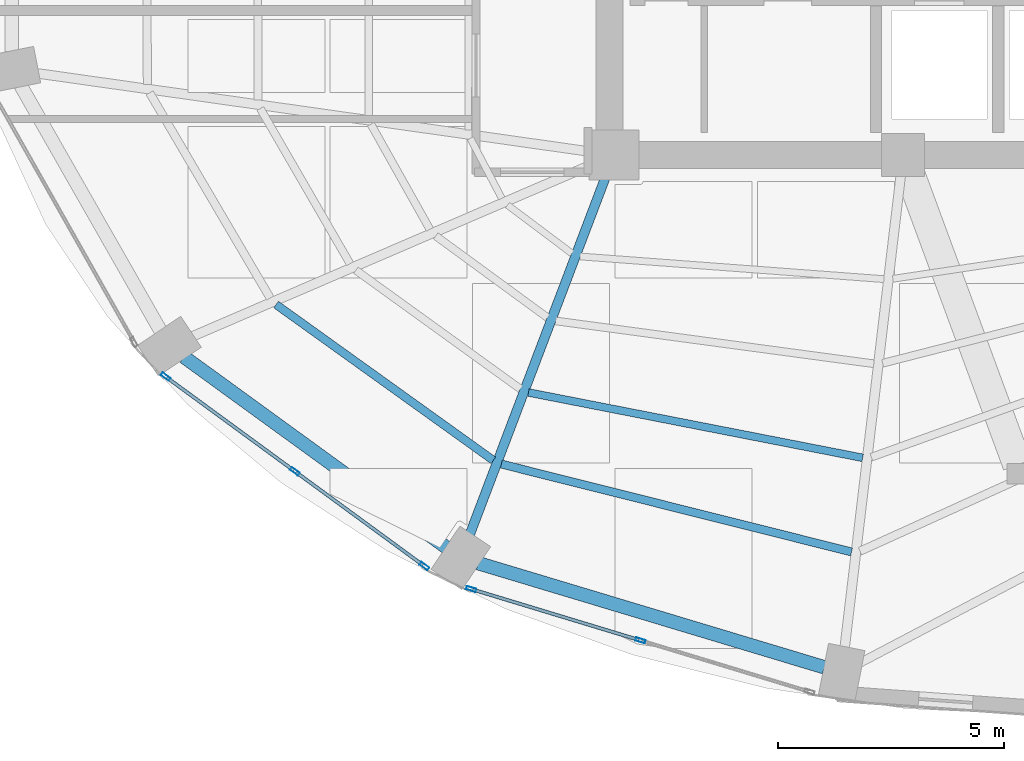
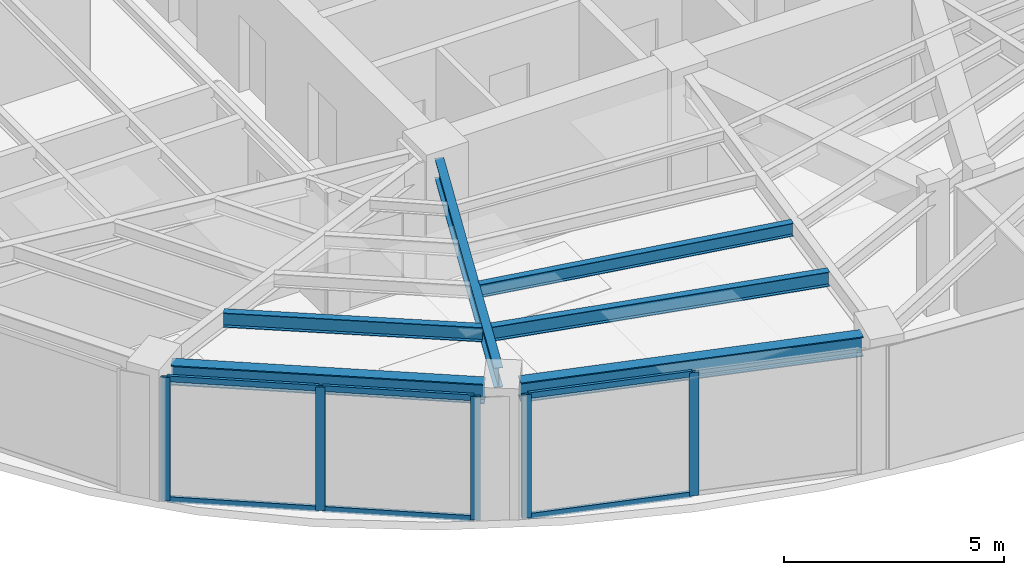
# One storey, part 2 of 20: 11 members, 6 beams, 2 elements without a shape of their own.
"""IFC4 building model written with IfcOpenShell, lengths in metres."""

from ifc_helpers import new_model, si_unit, direction, frame, origin, origin_2d, place, context, subcontext, project, spatial, hollow_rectangle, i_section, extrude, material, layer, layer_set, material_profile, profile_set, type_object, element, aggregate, save


model = new_model("IFC4")

# Units and contexts
model_context = context("Model", 3, precision=1e-05, world=origin(), true_north=direction((0.0, 1.0)))
body_context = subcontext(model_context, "Body", "Model", "MODEL_VIEW")
ifc_project = project(units=[si_unit("LENGTHUNIT", "METRE"), si_unit("AREAUNIT", "SQUARE_METRE"), si_unit("VOLUMEUNIT", "CUBIC_METRE"), si_unit("PLANEANGLEUNIT", "RADIAN"), si_unit("MASSUNIT", "GRAM", prefix="KILO")], contexts=[model_context])

# Site, building, storey
site_placement = place(None, origin())
site = spatial("IfcSite", under=ifc_project, at=site_placement, CompositionType="ELEMENT")
building_placement = place(site_placement, origin())
building = spatial("IfcBuilding", under=site, at=building_placement, Name="Lazwardi Medical Tower", CompositionType="ELEMENT")
storey_placement = place(building_placement, frame((0.0, 0.0, 182.06396484375)))
storey = spatial("IfcBuildingStorey", under=building, at=storey_placement, Name="L47", CompositionType="ELEMENT", Elevation=182.06396484375)

# Beams
ifc_material_1 = material(Name="Steel S355", Category="steel")
ifc_material_profile_1 = material_profile(ifc_material_1, i_section(OverallWidth=0.300048828125, OverallDepth=0.550048828125, WebThickness=0.014892578125, FlangeThickness=0.029052734375, at=origin_2d()), Name="HEB 550")
ifc_profile_set_1 = profile_set([ifc_material_profile_1], Name="Steel S355")
beam_type_1 = type_object("IfcBeamType", Name="BM-RB-Z3", PredefinedType="BEAM", material=ifc_profile_set_1)
beam_1_placement = place(storey_placement, frame((16.88818359375, 15.93408203125, 3.153076171875), z_axis=(0.809127570774, -0.587633026824, 0.0), x_axis=(0.587633026824, 0.809127570774, 0.0)))
element("IfcBeam", 1, at=beam_1_placement, inside=storey, type_object=beam_type_1, Name="Ring beam RB-04 B14 L47", PredefinedType="BEAM", context=body_context, shape_type="SweptSolid", body=[
    extrude(i_section(OverallWidth=0.300048828125, OverallDepth=0.550048828125, WebThickness=0.014892578125, FlangeThickness=0.029052734375, at=origin_2d()), origin(), (0.0, 0.0, 1.0), 7.170166015625),
])
beam_2_placement = place(storey_placement, frame((23.396484375, 11.37060546875, 3.153076171875), z_axis=(0.957616873483, -0.288045002771, 0.0), x_axis=(0.288045002771, 0.957616873483, 0.0)))
element("IfcBeam", 2, at=beam_2_placement, inside=storey, type_object=beam_type_1, Name="Ring beam RB-04 B15 L47", PredefinedType="BEAM", context=body_context, shape_type="SweptSolid", body=[
    extrude(i_section(OverallWidth=0.300048828125, OverallDepth=0.550048828125, WebThickness=0.014892578125, FlangeThickness=0.029052734375, at=origin_2d()), origin(), (0.0, 0.0, 1.0), 7.99951171875),
])
ifc_material_profile_2 = material_profile(ifc_material_1, i_section(OverallWidth=0.2099609375, OverallDepth=0.550048828125, WebThickness=0.010986328125, FlangeThickness=0.01708984375, at=origin_2d()), Name="IPE 550")
ifc_profile_set_2 = profile_set([ifc_material_profile_2], Name="Steel S355")
beam_type_2 = type_object("IfcBeamType", Name="BM-RG-W2", PredefinedType="BEAM", material=ifc_profile_set_2)
beam_3_placement = place(storey_placement, frame((23.21240234375, 12.00927734375, 3.153076171875), z_axis=(0.355126771712, 0.934818151307, 0.0), x_axis=(-0.934818151307, 0.355126771712, 0.0)))
element("IfcBeam", 3, at=beam_3_placement, inside=storey, type_object=beam_type_2, Name="Radial girder RG-03 R15 L47", PredefinedType="BEAM", context=body_context, shape_type="SweptSolid", body=[
    extrude(i_section(OverallWidth=0.2099609375, OverallDepth=0.550048828125, WebThickness=0.010986328125, FlangeThickness=0.01708984375, at=origin_2d()), origin(), (0.0, 0.0, 1.0), 8.44091796875),
])
ifc_material_profile_3 = material_profile(ifc_material_1, i_section(OverallWidth=0.179931640625, OverallDepth=0.39990234375, WebThickness=0.008544921875, FlangeThickness=0.013427734375, at=origin_2d()), Name="IPE 400")
ifc_profile_set_3 = profile_set([ifc_material_profile_3], Name="Steel S355")
beam_type_3 = type_object("IfcBeamType", Name="BM-SJ-01", PredefinedType="JOIST", material=ifc_profile_set_3)
beam_4_placement = place(storey_placement, frame((18.926025390625, 17.091796875, 3.22802734375), z_axis=(0.812602017757, -0.582818977675, 0.0), x_axis=(0.582818977675, 0.812602017757, 0.0)))
element("IfcBeam", 4, at=beam_4_placement, inside=storey, type_object=beam_type_3, Name="Secondary joist SJ-01 R1 B14 L47", PredefinedType="JOIST", context=body_context, shape_type="SweptSolid", body=[
    extrude(i_section(OverallWidth=0.179931640625, OverallDepth=0.39990234375, WebThickness=0.008544921875, FlangeThickness=0.013427734375, at=origin_2d()), origin(), (0.0, 0.0, 1.0), 5.91259765625),
])
beam_5_placement = place(storey_placement, frame((23.908935546875, 13.56298828125, 3.22802734375), z_axis=(0.969933596942, -0.243369713652, 0.0), x_axis=(0.243369713652, 0.969933596942, 0.0)))
element("IfcBeam", 5, at=beam_5_placement, inside=storey, type_object=beam_type_3, Name="Secondary joist SJ-01 R1 B15 L47", PredefinedType="JOIST", context=body_context, shape_type="SweptSolid", body=[
    extrude(i_section(OverallWidth=0.179931640625, OverallDepth=0.39990234375, WebThickness=0.008544921875, FlangeThickness=0.013427734375, at=origin_2d()), origin(), (0.0, 0.0, 1.0), 7.98828125),
])
ifc_material_profile_4 = material_profile(ifc_material_1, i_section(OverallWidth=0.169921875, OverallDepth=0.360107421875, WebThickness=0.008056640625, FlangeThickness=0.0126953125, at=origin_2d()), Name="IPE 360")
ifc_profile_set_4 = profile_set([ifc_material_profile_4], Name="Steel S355")
beam_type_4 = type_object("IfcBeamType", Name="BM-SJ-02", PredefinedType="JOIST", material=ifc_profile_set_4)
beam_6_placement = place(storey_placement, frame((24.509521484375, 15.146484375, 3.248046875), z_axis=(0.98141534692, -0.191895588353, 0.0), x_axis=(0.191895588353, 0.98141534692, 0.0)))
element("IfcBeam", 6, at=beam_6_placement, inside=storey, type_object=beam_type_4, Name="Secondary joist SJ-02 R2 B15 L47", PredefinedType="JOIST", context=body_context, shape_type="SweptSolid", body=[
    extrude(i_section(OverallWidth=0.169921875, OverallDepth=0.360107421875, WebThickness=0.008056640625, FlangeThickness=0.0126953125, at=origin_2d()), origin(), (0.0, 0.0, 1.0), 7.534423828125),
])

# Curtain wall, members
ifc_material_2 = material(Name="Anodised bronze aluminium and solar control glazing", Category="aluminium")
ifc_layer = layer(ifc_material_2, 0.195068359375)
ifc_layer_set = layer_set([ifc_layer], Name="Anodised bronze aluminium and solar control glazing")
curtain_wall_type = type_object("IfcCurtainWallType", Name="CW-SYS-03", PredefinedType="NOTDEFINED", material=ifc_layer_set)
curtain_wall_1_placement = place(storey_placement, origin())
curtain_wall_1 = element("IfcCurtainWall", 7, at=curtain_wall_1_placement, inside=storey, type_object=curtain_wall_type, Name="L47 Unitised bronze curtain wall CW-03", PredefinedType="NOTDEFINED")
ifc_material_3 = material(Name="Anodised bronze aluminium", Category="aluminium")
ifc_material_profile_5 = material_profile(ifc_material_3, hollow_rectangle(XDim=0.074951171875, YDim=0.219970703125, WallThickness=0.00390625, at=origin_2d()), Name="ALU-MULLION 220x75x4")
ifc_profile_set_5 = profile_set([ifc_material_profile_5], Name="Anodised bronze aluminium")
member_type_1 = type_object("IfcMemberType", Name="CW-MUL-01", PredefinedType="MULLION", material=ifc_profile_set_5)
member_1_placement = place(storey_placement, frame((16.480224609375, 15.4970703125, 0.0), z_axis=(0.0, 0.0, 1.0), x_axis=(0.590833862635, 0.806793249082, 0.0)))
member_1 = element("IfcMember", 8, at=member_1_placement, type_object=member_type_1, Name="CW-03 mullion 1", PredefinedType="MULLION", context=body_context, shape_type="SweptSolid", body=[
    extrude(hollow_rectangle(XDim=0.074951171875, YDim=0.219970703125, WallThickness=0.00390625, at=origin_2d()), origin(), (0.0, 0.0, 1.0), 3.427978515625),
])
member_2_placement = place(storey_placement, frame((19.34228515625, 13.401123046875, 0.0), z_axis=(0.0, 0.0, 1.0), x_axis=(0.590833862635, 0.806793249082, 0.0)))
member_2 = element("IfcMember", 9, at=member_2_placement, type_object=member_type_1, Name="CW-03 mullion 2", PredefinedType="MULLION", context=body_context, shape_type="SweptSolid", body=[
    extrude(hollow_rectangle(XDim=0.074951171875, YDim=0.219970703125, WallThickness=0.00390625, at=origin_2d()), origin(), (0.0, 0.0, 1.0), 3.427978515625),
])
member_3_placement = place(storey_placement, frame((22.204345703125, 11.30517578125, 0.0), z_axis=(0.0, 0.0, 1.0), x_axis=(0.590833862635, 0.806793249082, 0.0)))
member_3 = element("IfcMember", 10, at=member_3_placement, type_object=member_type_1, Name="CW-03 mullion 3", PredefinedType="MULLION", context=body_context, shape_type="SweptSolid", body=[
    extrude(hollow_rectangle(XDim=0.074951171875, YDim=0.219970703125, WallThickness=0.00390625, at=origin_2d()), origin(), (0.0, 0.0, 1.0), 3.427978515625),
])

curtain_wall_2_placement = place(storey_placement, origin())
curtain_wall_2 = element("IfcCurtainWall", 11, at=curtain_wall_2_placement, inside=storey, type_object=curtain_wall_type, Name="L47 Unitised bronze curtain wall CW-03", PredefinedType="NOTDEFINED")
member_4_placement = place(storey_placement, frame((23.241943359375, 10.796630859375, 0.0), z_axis=(0.0, 0.0, 1.0), x_axis=(0.290280785441, 0.956941516292, 0.0)))
member_4 = element("IfcMember", 12, at=member_4_placement, type_object=member_type_1, Name="CW-03 mullion 1", PredefinedType="MULLION", context=body_context, shape_type="SweptSolid", body=[
    extrude(hollow_rectangle(XDim=0.074951171875, YDim=0.219970703125, WallThickness=0.00390625, at=origin_2d()), origin(), (0.0, 0.0, 1.0), 3.427978515625),
])
member_5_placement = place(storey_placement, frame((26.98486328125, 9.661376953125, 0.0), z_axis=(0.0, 0.0, 1.0), x_axis=(0.290280785441, 0.956941516292, 0.0)))
member_5 = element("IfcMember", 13, at=member_5_placement, type_object=member_type_1, Name="CW-03 mullion 2", PredefinedType="MULLION", context=body_context, shape_type="SweptSolid", body=[
    extrude(hollow_rectangle(XDim=0.074951171875, YDim=0.219970703125, WallThickness=0.00390625, at=origin_2d()), origin(), (0.0, 0.0, 1.0), 3.427978515625),
])

# Member
ifc_material_profile_6 = material_profile(ifc_material_3, hollow_rectangle(XDim=0.074951171875, YDim=0.159912109375, WallThickness=0.00390625, at=origin_2d()), Name="ALU-TRANSOM 160x75x4")
ifc_profile_set_6 = profile_set([ifc_material_profile_6], Name="Anodised bronze aluminium")
member_type_2 = type_object("IfcMemberType", Name="CW-TRN-01", PredefinedType="USERDEFINED", material=ifc_profile_set_6)
member_6_placement = place(storey_placement, frame((16.510498046875, 15.474853515625, 0.03759765625), z_axis=(0.806807161185, -0.590814864962, 0.0), x_axis=(0.590814864962, 0.806807161185, 0.0)))
member_6 = element("IfcMember", 14, at=member_6_placement, type_object=member_type_2, Name="CW-03 transom 1.1", ObjectType="TRANSOM", PredefinedType="USERDEFINED", context=body_context, shape_type="SweptSolid", body=[
    extrude(hollow_rectangle(XDim=0.074951171875, YDim=0.159912109375, WallThickness=0.00390625, at=origin_2d()), origin(), (0.0, 0.0, 1.0), 3.472412109375),
])

member_7_placement = place(storey_placement, frame((16.510498046875, 15.474853515625, 3.390625), z_axis=(0.806807161185, -0.590814864962, 0.0), x_axis=(0.590814864962, 0.806807161185, 0.0)))
member_7 = element("IfcMember", 15, at=member_7_placement, type_object=member_type_2, Name="CW-03 transom 1.2", ObjectType="TRANSOM", PredefinedType="USERDEFINED", context=body_context, shape_type="SweptSolid", body=[
    extrude(hollow_rectangle(XDim=0.074951171875, YDim=0.159912109375, WallThickness=0.00390625, at=origin_2d()), origin(), (0.0, 0.0, 1.0), 3.472412109375),
])

member_8_placement = place(storey_placement, frame((19.37255859375, 13.37890625, 0.03759765625), z_axis=(0.806807161185, -0.590814864962, 0.0), x_axis=(0.590814864962, 0.806807161185, 0.0)))
member_8 = element("IfcMember", 16, at=member_8_placement, type_object=member_type_2, Name="CW-03 transom 2.1", ObjectType="TRANSOM", PredefinedType="USERDEFINED", context=body_context, shape_type="SweptSolid", body=[
    extrude(hollow_rectangle(XDim=0.074951171875, YDim=0.159912109375, WallThickness=0.00390625, at=origin_2d()), origin(), (0.0, 0.0, 1.0), 3.472412109375),
])

member_9_placement = place(storey_placement, frame((19.37255859375, 13.37890625, 3.390625), z_axis=(0.806807161185, -0.590814864962, 0.0), x_axis=(0.590814864962, 0.806807161185, 0.0)))
member_9 = element("IfcMember", 17, at=member_9_placement, type_object=member_type_2, Name="CW-03 transom 2.2", ObjectType="TRANSOM", PredefinedType="USERDEFINED", context=body_context, shape_type="SweptSolid", body=[
    extrude(hollow_rectangle(XDim=0.074951171875, YDim=0.159912109375, WallThickness=0.00390625, at=origin_2d()), origin(), (0.0, 0.0, 1.0), 3.472412109375),
])

aggregate(curtain_wall_1, [member_1, member_2, member_3, member_6, member_7, member_8, member_9])

member_10_placement = place(storey_placement, frame((23.27783203125, 10.785888671875, 0.03759765625), z_axis=(0.956930154175, -0.290318239233, 0.0), x_axis=(0.290318239233, 0.956930154175, 0.0)))
member_10 = element("IfcMember", 18, at=member_10_placement, type_object=member_type_2, Name="CW-03 transom 1.1", ObjectType="TRANSOM", PredefinedType="USERDEFINED", context=body_context, shape_type="SweptSolid", body=[
    extrude(hollow_rectangle(XDim=0.074951171875, YDim=0.159912109375, WallThickness=0.00390625, at=origin_2d()), origin(), (0.0, 0.0, 1.0), 3.83642578125),
])

member_11_placement = place(storey_placement, frame((23.27783203125, 10.785888671875, 3.390625), z_axis=(0.956930154175, -0.290318239233, 0.0), x_axis=(0.290318239233, 0.956930154175, 0.0)))
member_11 = element("IfcMember", 19, at=member_11_placement, type_object=member_type_2, Name="CW-03 transom 1.2", ObjectType="TRANSOM", PredefinedType="USERDEFINED", context=body_context, shape_type="SweptSolid", body=[
    extrude(hollow_rectangle(XDim=0.074951171875, YDim=0.159912109375, WallThickness=0.00390625, at=origin_2d()), origin(), (0.0, 0.0, 1.0), 3.83642578125),
])

aggregate(curtain_wall_2, [member_4, member_5, member_10, member_11])

save(model, "model.ifc")
